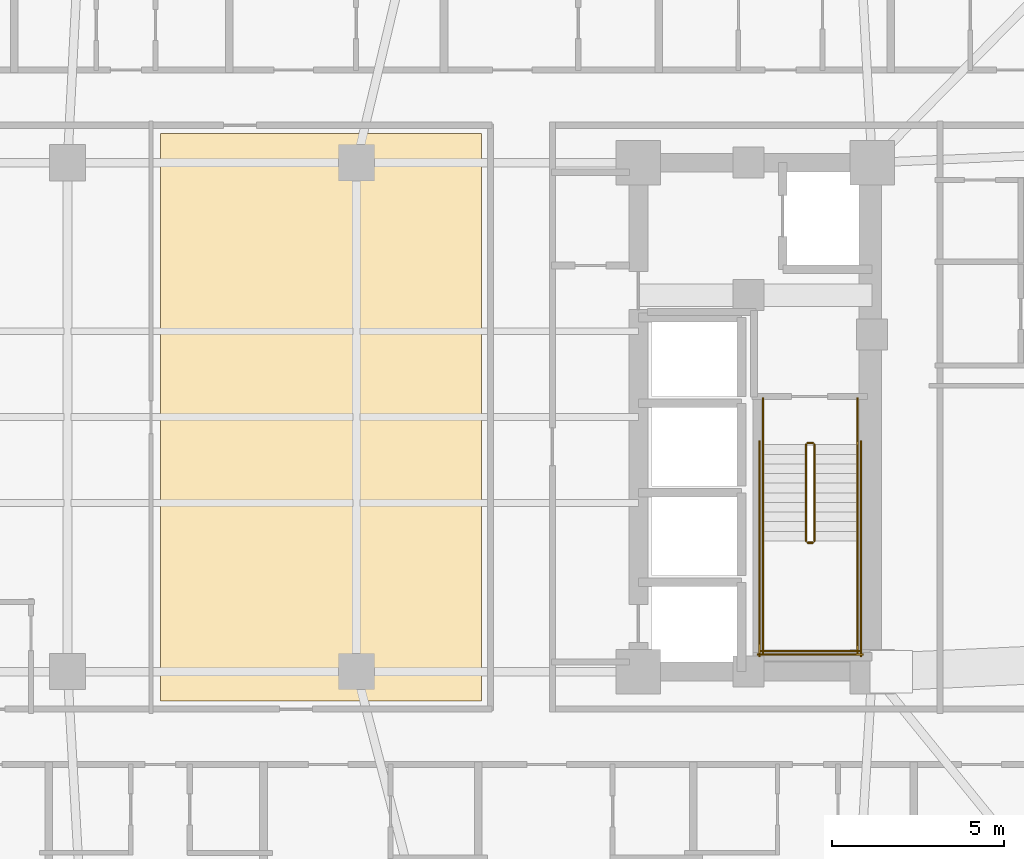
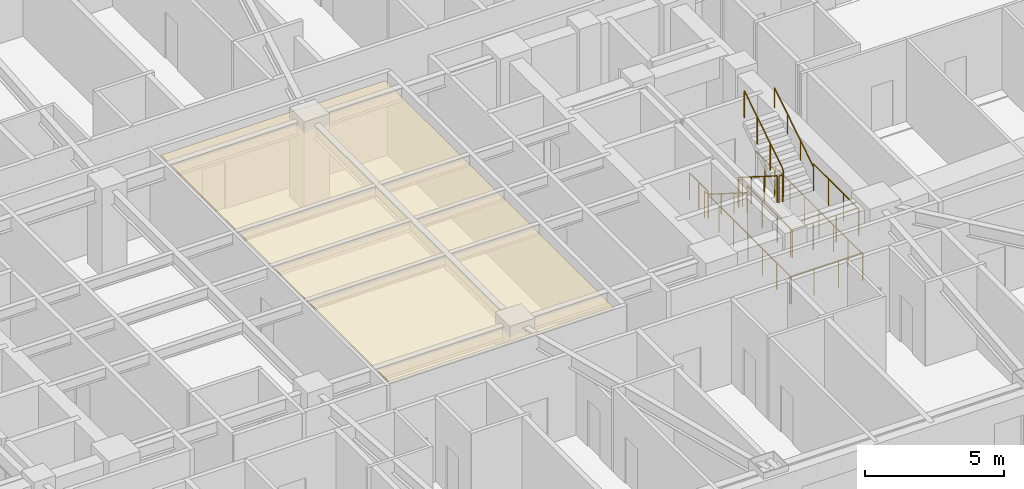
# One storey, part 12 of 13: 14 railings, 1 covering.
"""IFC4 building model written with IfcOpenShell, lengths in metres."""

from ifc_helpers import new_model, si_unit, direction, frame, origin, origin_2d, place, context, subcontext, project, spatial, polyline, circle, outline, extrude, material, layer, layer_set, type_object, element, save


model = new_model("IFC4")

# Units and contexts
model_context = context("Model", 3, precision=1e-05, world=origin(), true_north=direction((0.0, 1.0)))
body_context = subcontext(model_context, "Body", "Model", "MODEL_VIEW")
ifc_project = project(units=[si_unit("LENGTHUNIT", "METRE"), si_unit("AREAUNIT", "SQUARE_METRE"), si_unit("VOLUMEUNIT", "CUBIC_METRE"), si_unit("PLANEANGLEUNIT", "RADIAN"), si_unit("MASSUNIT", "GRAM", prefix="KILO")], contexts=[model_context])

# Site, building, storey
site_placement = place(None, origin())
site = spatial("IfcSite", under=ifc_project, at=site_placement, CompositionType="ELEMENT")
building_placement = place(site_placement, origin())
building = spatial("IfcBuilding", under=site, at=building_placement, Name="Voryun Gate Residences", CompositionType="ELEMENT")
storey_placement = place(building_placement, frame((0.0, 0.0, 124.800048828125)))
storey = spatial("IfcBuildingStorey", under=building, at=storey_placement, Name="L30", CompositionType="ELEMENT", Elevation=124.800048828125)

# Covering
ifc_material_1 = material(Name="Gypsum acoustic ceiling")
ifc_layer = layer(ifc_material_1, 0.02490234375, Name="COV_CEILING_ACOUSTIC")
ifc_layer_set = layer_set([ifc_layer], Name="Gypsum acoustic ceiling")
covering_type = type_object("IfcCoveringType", Name="COV_CEILING_ACOUSTIC", PredefinedType="CEILING", material=ifc_layer_set)
covering_placement = place(storey_placement, frame((0.0, 0.0, 3.39990234375)))
element("IfcCovering", 1, at=covering_placement, inside=storey, type_object=covering_type, Name="Acoustic ceiling CLG-L30-01", PredefinedType="CEILING", context=body_context, shape_type="SweptSolid", body=[
    extrude(outline(polyline([(-1.492919921875, 8.25), (7.840087890625, 8.25), (7.840087890625, -8.25), (-1.492919921875, -8.25), (-1.492919921875, 8.25)])), origin(), (0.0, 0.0, 1.0), 0.025146484375),
])

# Railings
ifc_material_2 = material(Name="Painted steel", Category="steel")
railing_type_1 = type_object("IfcRailingType", Name="RAIL_STAIR_GUARD_1200", PredefinedType="GUARDRAIL", material=ifc_material_2)
railing_1_placement = place(storey_placement, frame((17.27490234375, -0.800048828125, 0.17724609375)))
element("IfcRailing", 2, at=railing_1_placement, inside=storey, type_object=railing_type_1, Name="L30 ST-E1 stair guard 1", PredefinedType="GUARDRAIL", context=body_context, shape_type="SweptSolid", body=[
    extrude(circle(Radius=0.02392578125, at=origin_2d()), frame((0.0, 0.0, 1.17578125), z_axis=(0.0, -0.844908973607, 0.534910110503), x_axis=(1.0, 0.0, 0.0)), (0.0, 0.0, 1.0), 3.31396484375),
    extrude(circle(Radius=0.02099609375, at=origin_2d()), origin(), (0.0, 0.0, 1.0), 1.15185546875),
    extrude(circle(Radius=0.02099609375, at=origin_2d()), frame((0.0, -0.933349609375, 0.5908203125)), (0.0, 0.0, 1.0), 1.15185546875),
    extrude(circle(Radius=0.02099609375, at=origin_2d()), frame((0.0, -1.86669921875, 1.181884765625)), (0.0, 0.0, 1.0), 1.15185546875),
    extrude(circle(Radius=0.02099609375, at=origin_2d()), frame((0.0, -2.800048828125, 1.772705078125)), (0.0, 0.0, 1.0), 1.15185546875),
])
railing_2_placement = place(storey_placement, frame((17.324951171875, -3.64990234375, 1.949951171875)))
element("IfcRailing", 3, at=railing_2_placement, inside=storey, type_object=railing_type_1, Name="L30 ST-E1 stair guard 2", PredefinedType="GUARDRAIL", context=body_context, shape_type="SweptSolid", body=[
    extrude(circle(Radius=0.02392578125, at=origin_2d()), frame((0.0, 0.0, 1.17578125), z_axis=(1.0, 0.0, 0.0), x_axis=(0.0, 1.0, 0.0)), (0.0, 0.0, 1.0), 0.150146484375),
    extrude(circle(Radius=0.02099609375, at=origin_2d()), origin(), (0.0, 0.0, 1.0), 1.15185546875),
    extrude(circle(Radius=0.02099609375, at=origin_2d()), frame((0.150146484375, 0.0, 0.0)), (0.0, 0.0, 1.0), 1.15185546875),
])
for number, where, name in (
    (4, (16.02490234375, -3.60009765625, 1.949951171875), "L30 ST-E1 stair guard 3"),
    (5, (18.77490234375, -3.60009765625, 1.949951171875), "L30 ST-E1 stair guard 4"),
):
    element("IfcRailing", number, at=place(storey_placement, frame(where)), inside=storey, type_object=railing_type_1, Name=name, PredefinedType="GUARDRAIL", context=body_context, shape_type="SweptSolid", body=[
        extrude(circle(Radius=0.02392578125, at=origin_2d()), frame((0.0, 0.0, 1.17578125), z_axis=(0.0, -1.0, 0.0), x_axis=(1.0, 0.0, 0.0)), (0.0, 0.0, 1.0), 3.25),
        extrude(circle(Radius=0.02099609375, at=origin_2d()), origin(), (0.0, 0.0, 1.0), 1.15185546875),
        extrude(circle(Radius=0.02099609375, at=origin_2d()), frame((0.0, -1.083251953125, 0.0)), (0.0, 0.0, 1.0), 1.15185546875),
        extrude(circle(Radius=0.02099609375, at=origin_2d()), frame((0.0, -2.166748046875, 0.0)), (0.0, 0.0, 1.0), 1.15185546875),
        extrude(circle(Radius=0.02099609375, at=origin_2d()), frame((0.0, -3.25, 0.0)), (0.0, 0.0, 1.0), 1.15185546875),
    ])
railing_3_placement = place(storey_placement, frame((15.97509765625, -6.800048828125, 1.949951171875)))
element("IfcRailing", 6, at=railing_3_placement, inside=storey, type_object=railing_type_1, Name="L30 ST-E1 stair guard 5", PredefinedType="GUARDRAIL", context=body_context, shape_type="SweptSolid", body=[
    extrude(circle(Radius=0.02392578125, at=origin_2d()), frame((0.0, 0.0, 1.17578125), z_axis=(1.0, 0.0, 0.0), x_axis=(0.0, 1.0, 0.0)), (0.0, 0.0, 1.0), 2.849853515625),
    extrude(circle(Radius=0.02099609375, at=origin_2d()), origin(), (0.0, 0.0, 1.0), 1.15185546875),
    extrude(circle(Radius=0.02099609375, at=origin_2d()), frame((0.949951171875, 0.0, 0.0)), (0.0, 0.0, 1.0), 1.15185546875),
    extrude(circle(Radius=0.02099609375, at=origin_2d()), frame((1.89990234375, 0.0, 0.0)), (0.0, 0.0, 1.0), 1.15185546875),
    extrude(circle(Radius=0.02099609375, at=origin_2d()), frame((2.849853515625, 0.0, 0.0)), (0.0, 0.0, 1.0), 1.15185546875),
])
railing_4_placement = place(storey_placement, frame((17.52490234375, -3.60009765625, 2.127197265625)))
element("IfcRailing", 7, at=railing_4_placement, inside=storey, type_object=railing_type_1, Name="L30 ST-E1 stair guard 6", PredefinedType="GUARDRAIL", context=body_context, shape_type="SweptSolid", body=[
    extrude(circle(Radius=0.02392578125, at=origin_2d()), frame((0.0, 0.0, 1.17578125), z_axis=(0.0, 0.844908973607, 0.534910110503), x_axis=(-1.0, 0.0, 0.0)), (0.0, 0.0, 1.0), 3.31396484375),
    extrude(circle(Radius=0.02099609375, at=origin_2d()), origin(), (0.0, 0.0, 1.0), 1.15185546875),
    extrude(circle(Radius=0.02099609375, at=origin_2d()), frame((0.0, 0.933349609375, 0.5908203125)), (0.0, 0.0, 1.0), 1.15185546875),
    extrude(circle(Radius=0.02099609375, at=origin_2d()), frame((0.0, 1.86669921875, 1.181884765625)), (0.0, 0.0, 1.0), 1.15185546875),
    extrude(circle(Radius=0.02099609375, at=origin_2d()), frame((0.0, 2.800048828125, 1.772705078125)), (0.0, 0.0, 1.0), 1.15185546875),
])
railing_5_placement = place(storey_placement, frame((17.324951171875, -0.75, 0.0)))
element("IfcRailing", 8, at=railing_5_placement, inside=storey, type_object=railing_type_1, Name="L30 ST-E1 stair guard 7", PredefinedType="GUARDRAIL", context=body_context, shape_type="SweptSolid", body=[
    extrude(circle(Radius=0.02392578125, at=origin_2d()), frame((0.0, 0.0, 1.17578125), z_axis=(1.0, 0.0, 0.0), x_axis=(0.0, 1.0, 0.0)), (0.0, 0.0, 1.0), 0.150146484375),
    extrude(circle(Radius=0.02099609375, at=origin_2d()), origin(), (0.0, 0.0, 1.0), 1.15185546875),
    extrude(circle(Radius=0.02099609375, at=origin_2d()), frame((0.150146484375, 0.0, 0.0)), (0.0, 0.0, 1.0), 1.15185546875),
])
for number, where, name in (
    (9, (16.02490234375, 0.550048828125, 0.0), "L30 ST-E1 stair guard 8"),
    (10, (18.77490234375, 0.550048828125, 0.0), "L30 ST-E1 stair guard 9"),
):
    element("IfcRailing", number, at=place(storey_placement, frame(where)), inside=storey, type_object=railing_type_1, Name=name, PredefinedType="GUARDRAIL", context=body_context, shape_type="SweptSolid", body=[
        extrude(circle(Radius=0.02392578125, at=origin_2d()), frame((0.0, 0.0, 1.17578125), z_axis=(0.0, -1.0, 0.0), x_axis=(1.0, 0.0, 0.0)), (0.0, 0.0, 1.0), 1.35009765625),
        extrude(circle(Radius=0.02099609375, at=origin_2d()), origin(), (0.0, 0.0, 1.0), 1.15185546875),
        extrude(circle(Radius=0.02099609375, at=origin_2d()), frame((0.0, -0.675048828125, 0.0)), (0.0, 0.0, 1.0), 1.15185546875),
        extrude(circle(Radius=0.02099609375, at=origin_2d()), frame((0.0, -1.35009765625, 0.0)), (0.0, 0.0, 1.0), 1.15185546875),
    ])
for number, where, name in (
    (11, (15.925048828125, -0.699951171875, 0.0), "L30 ST-E1 stair guard 10"),
    (12, (18.875, -0.699951171875, 0.0), "L30 ST-E1 stair guard 11"),
):
    element("IfcRailing", number, at=place(storey_placement, frame(where)), inside=storey, type_object=railing_type_1, Name=name, PredefinedType="GUARDRAIL", context=body_context, shape_type="SweptSolid", body=[
        extrude(circle(Radius=0.02392578125, at=origin_2d()), frame((0.0, 0.0, 1.17578125), z_axis=(0.0, -1.0, 0.0), x_axis=(1.0, 0.0, 0.0)), (0.0, 0.0, 1.0), 6.25),
        extrude(circle(Radius=0.02099609375, at=origin_2d()), origin(), (0.0, 0.0, 1.0), 1.15185546875),
        extrude(circle(Radius=0.02099609375, at=origin_2d()), frame((0.0, -1.041748046875, 0.0)), (0.0, 0.0, 1.0), 1.15185546875),
        extrude(circle(Radius=0.02099609375, at=origin_2d()), frame((0.0, -2.083251953125, 0.0)), (0.0, 0.0, 1.0), 1.15185546875),
        extrude(circle(Radius=0.02099609375, at=origin_2d()), frame((0.0, -3.125, 0.0)), (0.0, 0.0, 1.0), 1.15185546875),
        extrude(circle(Radius=0.02099609375, at=origin_2d()), frame((0.0, -4.166748046875, 0.0)), (0.0, 0.0, 1.0), 1.15185546875),
        extrude(circle(Radius=0.02099609375, at=origin_2d()), frame((0.0, -5.208251953125, 0.0)), (0.0, 0.0, 1.0), 1.15185546875),
        extrude(circle(Radius=0.02099609375, at=origin_2d()), frame((0.0, -6.25, 0.0)), (0.0, 0.0, 1.0), 1.15185546875),
    ])
railing_6_placement = place(storey_placement, frame((15.875, -6.89990234375, 0.0)))
element("IfcRailing", 13, at=railing_6_placement, inside=storey, type_object=railing_type_1, Name="L30 ST-E1 stair guard 12", PredefinedType="GUARDRAIL", context=body_context, shape_type="SweptSolid", body=[
    extrude(circle(Radius=0.02392578125, at=origin_2d()), frame((0.0, 0.0, 1.17578125), z_axis=(1.0, 0.0, 0.0), x_axis=(0.0, 1.0, 0.0)), (0.0, 0.0, 1.0), 3.050048828125),
    extrude(circle(Radius=0.02099609375, at=origin_2d()), origin(), (0.0, 0.0, 1.0), 1.15185546875),
    extrude(circle(Radius=0.02099609375, at=origin_2d()), frame((1.0166015625, 0.0, 0.0)), (0.0, 0.0, 1.0), 1.15185546875),
    extrude(circle(Radius=0.02099609375, at=origin_2d()), frame((2.033447265625, 0.0, 0.0)), (0.0, 0.0, 1.0), 1.15185546875),
    extrude(circle(Radius=0.02099609375, at=origin_2d()), frame((3.050048828125, 0.0, 0.0)), (0.0, 0.0, 1.0), 1.15185546875),
])
ifc_material_3 = material(Name="Painted steel", Category="steel")
railing_type_2 = type_object("IfcRailingType", Name="RAIL_STAIR_HANDRAIL_900", PredefinedType="HANDRAIL", material=ifc_material_3)
railing_7_placement = place(storey_placement, frame((16.02490234375, -0.800048828125, 0.17724609375)))
element("IfcRailing", 14, at=railing_7_placement, inside=storey, type_object=railing_type_2, Name="L30 ST-E1 stair handrail 1", PredefinedType="HANDRAIL", context=body_context, shape_type="SweptSolid", body=[
    extrude(circle(Radius=0.02392578125, at=origin_2d()), frame((0.0, 0.0, 0.8759765625), z_axis=(0.0, -0.844908973607, 0.534910110503), x_axis=(1.0, 0.0, 0.0)), (0.0, 0.0, 1.0), 3.31396484375),
    extrude(circle(Radius=0.02099609375, at=origin_2d()), origin(), (0.0, 0.0, 1.0), 0.851806640625),
    extrude(circle(Radius=0.02099609375, at=origin_2d()), frame((0.0, -0.933349609375, 0.5908203125)), (0.0, 0.0, 1.0), 0.851806640625),
    extrude(circle(Radius=0.02099609375, at=origin_2d()), frame((0.0, -1.86669921875, 1.181884765625)), (0.0, 0.0, 1.0), 0.851806640625),
    extrude(circle(Radius=0.02099609375, at=origin_2d()), frame((0.0, -2.800048828125, 1.772705078125)), (0.0, 0.0, 1.0), 0.851806640625),
])
railing_8_placement = place(storey_placement, frame((18.77490234375, -3.60009765625, 2.127197265625)))
element("IfcRailing", 15, at=railing_8_placement, inside=storey, type_object=railing_type_2, Name="L30 ST-E1 stair handrail 2", PredefinedType="HANDRAIL", context=body_context, shape_type="SweptSolid", body=[
    extrude(circle(Radius=0.02392578125, at=origin_2d()), frame((0.0, 0.0, 0.8759765625), z_axis=(0.0, 0.844908973607, 0.534910110503), x_axis=(-1.0, 0.0, 0.0)), (0.0, 0.0, 1.0), 3.31396484375),
    extrude(circle(Radius=0.02099609375, at=origin_2d()), origin(), (0.0, 0.0, 1.0), 0.851806640625),
    extrude(circle(Radius=0.02099609375, at=origin_2d()), frame((0.0, 0.933349609375, 0.5908203125)), (0.0, 0.0, 1.0), 0.851806640625),
    extrude(circle(Radius=0.02099609375, at=origin_2d()), frame((0.0, 1.86669921875, 1.181884765625)), (0.0, 0.0, 1.0), 0.851806640625),
    extrude(circle(Radius=0.02099609375, at=origin_2d()), frame((0.0, 2.800048828125, 1.772705078125)), (0.0, 0.0, 1.0), 0.851806640625),
])

save(model, "model.ifc")
